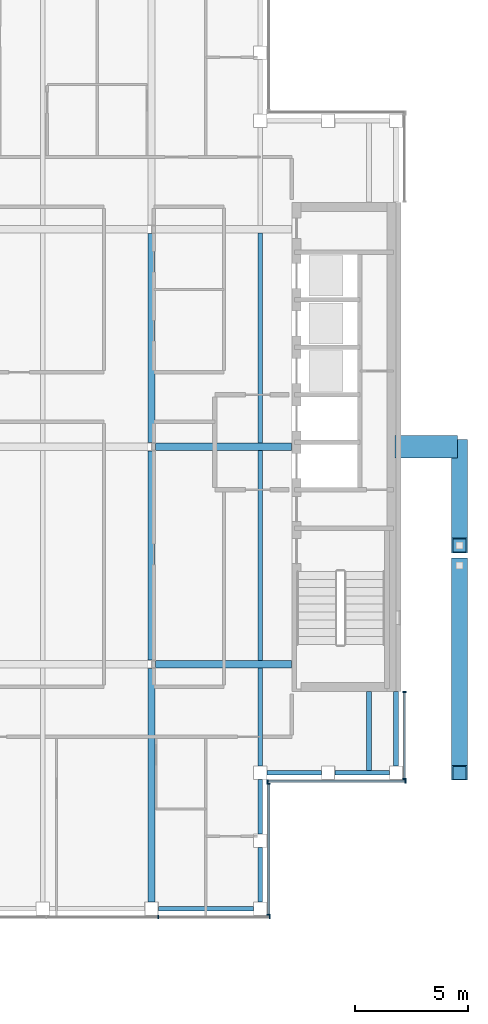
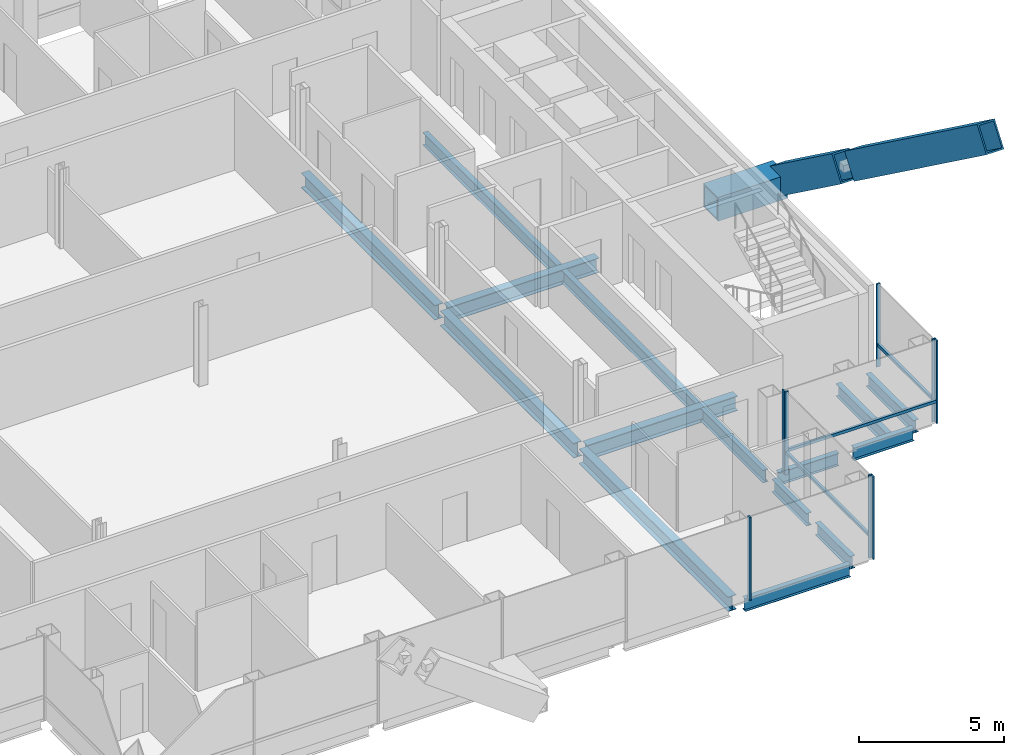
# One storey, part 6 of 15: 16 beams, 13 members, 4 elements without a shape of their own.
"""IFC4 building model written with IfcOpenShell, lengths in metres."""

from ifc_helpers import new_model, si_unit, direction, frame, origin, origin_2d, place, context, subcontext, project, spatial, rectangle, hollow_rectangle, i_section, extrude, material, material_profile, profile_set, type_object, element, aggregate, save


model = new_model("IFC4")

# Units and contexts
model_context = context("Model", 3, precision=1e-05, world=origin(), true_north=direction((0.0, 1.0)))
body_context = subcontext(model_context, "Body", "Model", "MODEL_VIEW")
ifc_project = project(units=[si_unit("LENGTHUNIT", "METRE"), si_unit("AREAUNIT", "SQUARE_METRE"), si_unit("VOLUMEUNIT", "CUBIC_METRE"), si_unit("PLANEANGLEUNIT", "RADIAN"), si_unit("MASSUNIT", "GRAM", prefix="KILO")], contexts=[model_context])

# Site, building, storey
site_placement = place(None, origin())
site = spatial("IfcSite", under=ifc_project, at=site_placement, CompositionType="ELEMENT")
building_placement = place(site_placement, origin())
building = spatial("IfcBuilding", under=site, at=building_placement, Name="Cobrizo Arcos Hotel Tower", CompositionType="ELEMENT")
storey_placement = place(building_placement, frame((0.0, 0.0, 244.5)))
storey = spatial("IfcBuildingStorey", under=building, at=storey_placement, Name="L64", CompositionType="ELEMENT", Elevation=244.5)

# Beam
ifc_material_1 = material(Name="Steel ASTM A572 Grade 50", Category="steel")
ifc_material_profile_1 = material_profile(ifc_material_1, hollow_rectangle(XDim=1.0, YDim=1.0, WallThickness=0.06005859375, at=origin_2d()), Name="BOX 1000X1000X60")
ifc_profile_set_1 = profile_set([ifc_material_profile_1], Name="Steel ASTM A572 Grade 50")
beam_type_1 = type_object("IfcBeamType", Name="BOX 1000X1000X60 brace connector strut", PredefinedType="BEAM", material=ifc_profile_set_1)
beam_1_placement = place(storey_placement, frame((20.35009765625, 0.0, 0.5), z_axis=(1.0, 0.0, 0.0), x_axis=(0.0, 1.0, 0.0)))
element("IfcBeam", 1, at=beam_1_placement, inside=storey, type_object=beam_type_1, Name="Perimeter brace stub BS1, zone Z5, east face, offset +0.00 m, L64", PredefinedType="BEAM", context=body_context, shape_type="SweptSolid", body=[
    extrude(hollow_rectangle(XDim=1.0, YDim=1.0, WallThickness=0.06005859375, at=origin_2d()), origin(), (0.0, 0.0, 1.0), 2.77001953125),
])

# Members
ifc_material_profile_2 = material_profile(ifc_material_1, hollow_rectangle(XDim=0.699951171875, YDim=1.10009765625, WallThickness=0.06005859375, at=origin_2d()), Name="BOX 700X1100X60")
ifc_profile_set_2 = profile_set([ifc_material_profile_2], Name="Steel ASTM A572 Grade 50")
member_type_1 = type_object("IfcMemberType", Name="BOX 700X1100X60 perimeter brace", PredefinedType="BRACE", material=ifc_profile_set_2)
member_1_placement = place(storey_placement, frame((23.199951171875, 0.0, 0.5), z_axis=(0.0, -0.808011122183, 0.589167231292), x_axis=(1.0, 0.0, 0.0)))
element("IfcMember", 2, at=member_1_placement, inside=storey, type_object=member_type_1, Name="Perimeter brace PBR5, zone Z5, east face, no. 01", PredefinedType="BRACE", context=body_context, shape_type="SweptSolid", body=[
    extrude(hollow_rectangle(XDim=0.699951171875, YDim=1.10009765625, WallThickness=0.06005859375, at=origin_2d()), origin(), (0.0, 0.0, 1.0), 5.392822265625),
])
member_2_placement = place(storey_placement, frame((23.199951171875, -5.242431640625, 4.32275390625), z_axis=(0.0, -0.808010734919, 0.589167762404), x_axis=(1.0, 0.0, 0.0)))
element("IfcMember", 3, at=member_2_placement, inside=storey, type_object=member_type_1, Name="Perimeter brace PBR5, zone Z5, east face, no. 01b", PredefinedType="BRACE", context=body_context, shape_type="SweptSolid", body=[
    extrude(hollow_rectangle(XDim=0.699951171875, YDim=1.10009765625, WallThickness=0.06005859375, at=origin_2d()), origin(), (0.0, 0.0, 1.0), 11.333251953125),
])

# Curtain wall, members
ifc_material_2 = material(Name="Aluminium 6063-T6 anodised bronze", Category="aluminium")
curtain_wall_type = type_object("IfcCurtainWallType", Name="CW-A guest facade", PredefinedType="NOTDEFINED", material=ifc_material_2)
curtain_wall_1_placement = place(storey_placement, origin())
curtain_wall_1 = element("IfcCurtainWall", 4, at=curtain_wall_1_placement, inside=storey, type_object=curtain_wall_type, Name="CW-A L64 S face", PredefinedType="NOTDEFINED")
ifc_material_profile_3 = material_profile(ifc_material_2, rectangle(XDim=0.14990234375, YDim=0.06005859375, at=origin_2d()), Name="CW-A mullion 150x60")
ifc_profile_set_3 = profile_set([ifc_material_profile_3], Name="Aluminium 6063-T6 anodised bronze")
member_type_2 = type_object("IfcMemberType", Name="CW-A mullion 150x60", PredefinedType="MULLION", material=ifc_profile_set_3)
member_3_placement = place(storey_placement, frame((9.89990234375, -20.77490234375, 0.0), z_axis=(0.0, 0.0, 1.0), x_axis=(0.0, -1.0, 0.0)))
member_3 = element("IfcMember", 5, at=member_3_placement, type_object=member_type_2, Name="CW-A mullion 6", PredefinedType="MULLION", context=body_context, shape_type="SweptSolid", body=[
    extrude(rectangle(XDim=0.14990234375, YDim=0.06005859375, at=origin_2d()), origin(), (0.0, 0.0, 1.0), 3.5),
])
member_4_placement = place(storey_placement, frame((14.820068359375, -20.77490234375, 0.0), z_axis=(0.0, 0.0, 1.0), x_axis=(0.0, -1.0, 0.0)))
member_4 = element("IfcMember", 6, at=member_4_placement, type_object=member_type_2, Name="CW-A mullion 7", PredefinedType="MULLION", context=body_context, shape_type="SweptSolid", body=[
    extrude(rectangle(XDim=0.14990234375, YDim=0.06005859375, at=origin_2d()), origin(), (0.0, 0.0, 1.0), 3.5),
])
aggregate(curtain_wall_1, [member_3, member_4])

curtain_wall_2_placement = place(storey_placement, origin())
curtain_wall_2 = element("IfcCurtainWall", 7, at=curtain_wall_2_placement, inside=storey, type_object=curtain_wall_type, Name="CW-A L64 E face", PredefinedType="NOTDEFINED")
member_5_placement = place(storey_placement, frame((14.77490234375, -20.669921875, 0.0), z_axis=(0.0, 0.0, 1.0), x_axis=(1.0, 0.0, 0.0)))
member_5 = element("IfcMember", 8, at=member_5_placement, type_object=member_type_2, Name="CW-A mullion 1", PredefinedType="MULLION", context=body_context, shape_type="SweptSolid", body=[
    extrude(rectangle(XDim=0.14990234375, YDim=0.06005859375, at=origin_2d()), origin(), (0.0, 0.0, 1.0), 3.5),
])
member_6_placement = place(storey_placement, frame((14.77490234375, -14.8798828125, 0.0), z_axis=(0.0, 0.0, 1.0), x_axis=(1.0, 0.0, 0.0)))
member_6 = element("IfcMember", 9, at=member_6_placement, type_object=member_type_2, Name="CW-A mullion 2", PredefinedType="MULLION", context=body_context, shape_type="SweptSolid", body=[
    extrude(rectangle(XDim=0.14990234375, YDim=0.06005859375, at=origin_2d()), origin(), (0.0, 0.0, 1.0), 3.5),
])

curtain_wall_3_placement = place(storey_placement, origin())
curtain_wall_3 = element("IfcCurtainWall", 10, at=curtain_wall_3_placement, inside=storey, type_object=curtain_wall_type, Name="CW-A L64 S face", PredefinedType="NOTDEFINED")
member_7_placement = place(storey_placement, frame((14.72998046875, -14.77490234375, 0.0), z_axis=(0.0, 0.0, 1.0), x_axis=(0.0, -1.0, 0.0)))
member_7 = element("IfcMember", 11, at=member_7_placement, type_object=member_type_2, Name="CW-A mullion 1", PredefinedType="MULLION", context=body_context, shape_type="SweptSolid", body=[
    extrude(rectangle(XDim=0.14990234375, YDim=0.06005859375, at=origin_2d()), origin(), (0.0, 0.0, 1.0), 3.5),
])
member_8_placement = place(storey_placement, frame((20.820068359375, -14.77490234375, 0.0), z_axis=(0.0, 0.0, 1.0), x_axis=(0.0, -1.0, 0.0)))
member_8 = element("IfcMember", 12, at=member_8_placement, type_object=member_type_2, Name="CW-A mullion 2", PredefinedType="MULLION", context=body_context, shape_type="SweptSolid", body=[
    extrude(rectangle(XDim=0.14990234375, YDim=0.06005859375, at=origin_2d()), origin(), (0.0, 0.0, 1.0), 3.5),
])

curtain_wall_4_placement = place(storey_placement, origin())
curtain_wall_4 = element("IfcCurtainWall", 13, at=curtain_wall_4_placement, inside=storey, type_object=curtain_wall_type, Name="CW-A L64 E face", PredefinedType="NOTDEFINED")
member_9_placement = place(storey_placement, frame((20.77490234375, -14.669921875, 0.0), z_axis=(0.0, 0.0, 1.0), x_axis=(1.0, 0.0, 0.0)))
member_9 = element("IfcMember", 14, at=member_9_placement, type_object=member_type_2, Name="CW-A mullion 1", PredefinedType="MULLION", context=body_context, shape_type="SweptSolid", body=[
    extrude(rectangle(XDim=0.14990234375, YDim=0.06005859375, at=origin_2d()), origin(), (0.0, 0.0, 1.0), 3.5),
])
member_10_placement = place(storey_placement, frame((20.77490234375, -10.830078125, 0.0), z_axis=(0.0, 0.0, 1.0), x_axis=(1.0, 0.0, 0.0)))
member_10 = element("IfcMember", 15, at=member_10_placement, type_object=member_type_2, Name="CW-A mullion 2", PredefinedType="MULLION", context=body_context, shape_type="SweptSolid", body=[
    extrude(rectangle(XDim=0.14990234375, YDim=0.06005859375, at=origin_2d()), origin(), (0.0, 0.0, 1.0), 3.5),
])

# Member
ifc_material_profile_4 = material_profile(ifc_material_2, rectangle(XDim=0.10009765625, YDim=0.1201171875, at=origin_2d()), Name="CW-A transom 120x100")
ifc_profile_set_4 = profile_set([ifc_material_profile_4], Name="Aluminium 6063-T6 anodised bronze")
member_type_3 = type_object("IfcMemberType", Name="CW-A transom 120x100", PredefinedType="USERDEFINED", material=ifc_profile_set_4)
member_11_placement = place(storey_placement, frame((14.77490234375, -20.639892578125, 0.929931640625), z_axis=(0.0, 1.0, 0.0), x_axis=(-1.0, 0.0, 0.0)))
member_11 = element("IfcMember", 16, at=member_11_placement, type_object=member_type_3, Name="CW-A transom 2042", ObjectType="TRANSOM", PredefinedType="USERDEFINED", context=body_context, shape_type="SweptSolid", body=[
    extrude(rectangle(XDim=0.10009765625, YDim=0.1201171875, at=origin_2d()), origin(), (0.0, 0.0, 1.0), 5.72998046875),
])

aggregate(curtain_wall_2, [member_5, member_6, member_11])

member_12_placement = place(storey_placement, frame((14.760009765625, -14.77490234375, 0.929931640625), z_axis=(1.0, 0.0, 0.0), x_axis=(0.0, 1.0, 0.0)))
member_12 = element("IfcMember", 17, at=member_12_placement, type_object=member_type_3, Name="CW-A transom 2043", ObjectType="TRANSOM", PredefinedType="USERDEFINED", context=body_context, shape_type="SweptSolid", body=[
    extrude(rectangle(XDim=0.10009765625, YDim=0.1201171875, at=origin_2d()), origin(), (0.0, 0.0, 1.0), 6.030029296875),
])

aggregate(curtain_wall_3, [member_7, member_8, member_12])

member_13_placement = place(storey_placement, frame((20.77490234375, -14.639892578125, 0.929931640625), z_axis=(0.0, 1.0, 0.0), x_axis=(-1.0, 0.0, 0.0)))
member_13 = element("IfcMember", 18, at=member_13_placement, type_object=member_type_3, Name="CW-A transom 2044", ObjectType="TRANSOM", PredefinedType="USERDEFINED", context=body_context, shape_type="SweptSolid", body=[
    extrude(rectangle(XDim=0.10009765625, YDim=0.1201171875, at=origin_2d()), origin(), (0.0, 0.0, 1.0), 3.77978515625),
])

aggregate(curtain_wall_4, [member_9, member_10, member_13])

# Beams
ifc_material_3 = material(Name="Steel ASTM A992 Grade 50", Category="steel")
ifc_material_profile_5 = material_profile(ifc_material_3, i_section(OverallWidth=0.209228515625, OverallDepth=0.533447265625, WebThickness=0.01025390625, FlangeThickness=0.015625, at=origin_2d()), Name="W21X62")
ifc_profile_set_5 = profile_set([ifc_material_profile_5], Name="Steel ASTM A992 Grade 50")
beam_type_2 = type_object("IfcBeamType", Name="W21X62 joist", PredefinedType="JOIST", material=ifc_profile_set_5)
beam_2_placement = place(storey_placement, frame((14.39990234375, -14.10009765625, -0.416748046875), z_axis=(0.0, 1.0, 0.0), x_axis=(-1.0, 0.0, 0.0)))
element("IfcBeam", 19, at=beam_2_placement, inside=storey, type_object=beam_type_2, Name="Floor joist J1, L64, no. 015", PredefinedType="JOIST", context=body_context, shape_type="SweptSolid", body=[
    extrude(i_section(OverallWidth=0.209228515625, OverallDepth=0.533447265625, WebThickness=0.01025390625, FlangeThickness=0.015625, at=origin_2d()), origin(), (0.0, 0.0, 1.0), 4.336181640625),
])
for number, where, z_axis, x_axis, name in (
    (20, (14.39990234375, -9.43603515625, -0.416748046875), (0.0, 1.0, 0.0), (-1.0, 0.0, 0.0), "Floor joist J1, L64, no. 016"),
    (21, (14.39990234375, 0.163818359375, -0.416748046875), (0.0, 1.0, 0.0), (-1.0, 0.0, 0.0), "Floor joist J1, L64, no. 017"),
):
    element("IfcBeam", number, at=place(storey_placement, frame(where, z_axis=z_axis, x_axis=x_axis)), inside=storey, type_object=beam_type_2, Name=name, PredefinedType="JOIST", context=body_context, shape_type="SweptSolid", body=[
        extrude(i_section(OverallWidth=0.209228515625, OverallDepth=0.533447265625, WebThickness=0.01025390625, FlangeThickness=0.015625, at=origin_2d()), origin(), (0.0, 0.0, 1.0), 9.272216796875),
    ])
beam_3_placement = place(storey_placement, frame((19.199951171875, -14.31005859375, -0.416748046875), z_axis=(0.0, 1.0, 0.0), x_axis=(-1.0, 0.0, 0.0)))
element("IfcBeam", 22, at=beam_3_placement, inside=storey, type_object=beam_type_2, Name="Floor joist J1, L64, no. 019", PredefinedType="JOIST", context=body_context, shape_type="SweptSolid", body=[
    extrude(i_section(OverallWidth=0.209228515625, OverallDepth=0.533447265625, WebThickness=0.01025390625, FlangeThickness=0.015625, at=origin_2d()), origin(), (0.0, 0.0, 1.0), 3.5),
])
ifc_material_profile_6 = material_profile(ifc_material_3, i_section(OverallWidth=0.209228515625, OverallDepth=0.533447265625, WebThickness=0.01025390625, FlangeThickness=0.015625, at=origin_2d()), Name="W21X62")
ifc_profile_set_6 = profile_set([ifc_material_profile_6], Name="Steel ASTM A992 Grade 50")
beam_type_3 = type_object("IfcBeamType", Name="W21X62 spandrel", PredefinedType="SPANDREL", material=ifc_profile_set_6)
beam_4_placement = place(storey_placement, frame((9.89990234375, -20.39990234375, -0.416748046875), z_axis=(1.0, 0.0, 0.0), x_axis=(0.0, 1.0, 0.0)))
element("IfcBeam", 23, at=beam_4_placement, inside=storey, type_object=beam_type_3, Name="Spandrel beam W21X62, L64, no. 006", PredefinedType="SPANDREL", context=body_context, shape_type="SweptSolid", body=[
    extrude(i_section(OverallWidth=0.209228515625, OverallDepth=0.533447265625, WebThickness=0.01025390625, FlangeThickness=0.015625, at=origin_2d()), origin(), (0.0, 0.0, 1.0), 4.2001953125),
])
for number, where, z_axis, x_axis, name in (
    (24, (14.39990234375, -20.10009765625, -0.416748046875), (0.0, 1.0, 0.0), (-1.0, 0.0, 0.0), "Spandrel beam W21X62, L64, no. 007"),
    (25, (14.39990234375, -17.10009765625, -0.416748046875), (0.0, 1.0, 0.0), (-1.0, 0.0, 0.0), "Spandrel beam W21X62, L64, no. 008"),
    (26, (14.699951171875, -14.39990234375, -0.416748046875), (1.0, 0.0, 0.0), (0.0, 1.0, 0.0), "Spandrel beam W21X62, L64, no. 009"),
    (27, (17.699951171875, -14.39990234375, -0.416748046875), (1.0, 0.0, 0.0), (0.0, 1.0, 0.0), "Spandrel beam W21X62, L64, no. 010"),
):
    element("IfcBeam", number, at=place(storey_placement, frame(where, z_axis=z_axis, x_axis=x_axis)), inside=storey, type_object=beam_type_3, Name=name, PredefinedType="SPANDREL", context=body_context, shape_type="SweptSolid", body=[
        extrude(i_section(OverallWidth=0.209228515625, OverallDepth=0.533447265625, WebThickness=0.01025390625, FlangeThickness=0.015625, at=origin_2d()), origin(), (0.0, 0.0, 1.0), 2.400146484375),
    ])
beam_5_placement = place(storey_placement, frame((20.39990234375, -14.10009765625, -0.416748046875), z_axis=(0.0, 1.0, 0.0), x_axis=(-1.0, 0.0, 0.0)))
element("IfcBeam", 28, at=beam_5_placement, inside=storey, type_object=beam_type_3, Name="Spandrel beam W21X62, L64, no. 011", PredefinedType="SPANDREL", context=body_context, shape_type="SweptSolid", body=[
    extrude(i_section(OverallWidth=0.209228515625, OverallDepth=0.533447265625, WebThickness=0.01025390625, FlangeThickness=0.015625, at=origin_2d()), origin(), (0.0, 0.0, 1.0), 3.2900390625),
])
ifc_material_profile_7 = material_profile(ifc_material_3, i_section(OverallWidth=0.32763671875, OverallDepth=0.622314453125, WebThickness=0.015380859375, FlangeThickness=0.0244140625, at=origin_2d()), Name="W24X131")
ifc_profile_set_7 = profile_set([ifc_material_profile_7], Name="Steel ASTM A992 Grade 50")
beam_type_4 = type_object("IfcBeamType", Name="W24X131 girder", PredefinedType="BEAM", material=ifc_profile_set_7)
for number, where, z_axis, x_axis, name in (
    (29, (9.7841796875, -9.60009765625, -0.461181640625), (1.0, 0.0, 0.0), (0.0, 1.0, 0.0), "Floor girder G1, L64, no. 004"),
    (30, (9.7841796875, 0.0, -0.461181640625), (1.0, 0.0, 0.0), (0.0, 1.0, 0.0), "Floor girder G1, L64, no. 008"),
):
    element("IfcBeam", number, at=place(storey_placement, frame(where, z_axis=z_axis, x_axis=x_axis)), inside=storey, type_object=beam_type_4, Name=name, PredefinedType="BEAM", context=body_context, shape_type="SweptSolid", body=[
        extrude(i_section(OverallWidth=0.32763671875, OverallDepth=0.622314453125, WebThickness=0.015380859375, FlangeThickness=0.0244140625, at=origin_2d()), origin(), (0.0, 0.0, 1.0), 6.005859375),
    ])
beam_6_placement = place(storey_placement, frame((9.60009765625, -20.10009765625, -0.461181640625), z_axis=(0.0, 1.0, 0.0), x_axis=(-1.0, 0.0, 0.0)))
element("IfcBeam", 31, at=beam_6_placement, inside=storey, type_object=beam_type_4, Name="Floor girder G1, L64, no. 021", PredefinedType="BEAM", context=body_context, shape_type="SweptSolid", body=[
    extrude(i_section(OverallWidth=0.32763671875, OverallDepth=0.622314453125, WebThickness=0.015380859375, FlangeThickness=0.0244140625, at=origin_2d()), origin(), (0.0, 0.0, 1.0), 10.31591796875),
])
for number, where, z_axis, x_axis, name in (
    (32, (9.60009765625, -9.415771484375, -0.461181640625), (0.0, 1.0, 0.0), (-1.0, 0.0, 0.0), "Floor girder G1, L64, no. 022"),
    (33, (9.60009765625, 0.18408203125, -0.461181640625), (0.0, 1.0, 0.0), (-1.0, 0.0, 0.0), "Floor girder G1, L64, no. 023"),
):
    element("IfcBeam", number, at=place(storey_placement, frame(where, z_axis=z_axis, x_axis=x_axis)), inside=storey, type_object=beam_type_4, Name=name, PredefinedType="BEAM", context=body_context, shape_type="SweptSolid", body=[
        extrude(i_section(OverallWidth=0.32763671875, OverallDepth=0.622314453125, WebThickness=0.015380859375, FlangeThickness=0.0244140625, at=origin_2d()), origin(), (0.0, 0.0, 1.0), 9.231689453125),
    ])

save(model, "model.ifc")
